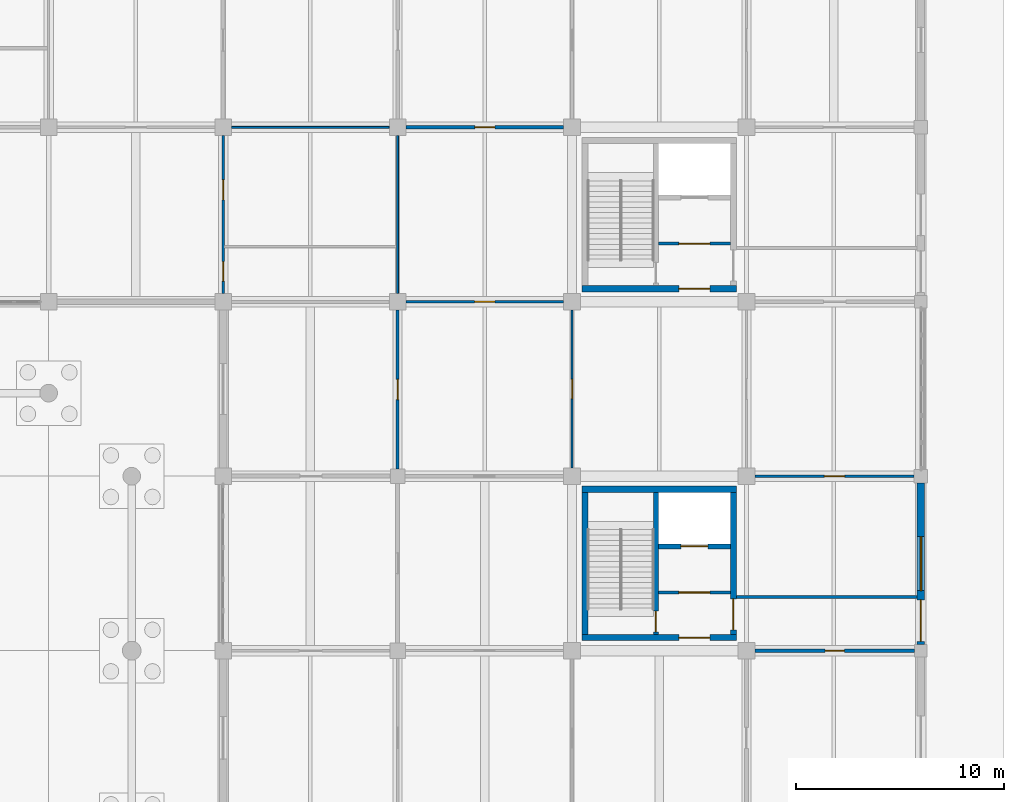
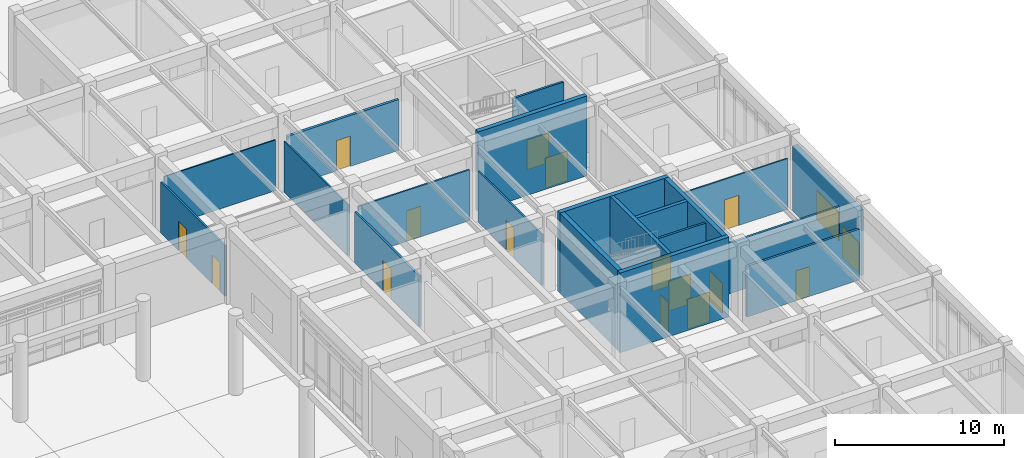
# One storey, part 79 of 91: 20 walls, 16 doors, 1 window, 17 openings.
"""IFC4 building model written with IfcOpenShell, lengths in metres."""

from ifc_helpers import new_model, si_unit, direction, frame, frame_2d, origin, place, context, subcontext, project, spatial, rectangle, extrude, material, layer, layer_set, type_object, element, fill, save


model = new_model("IFC4")

# Units and contexts
model_context = context("Model", 3, precision=1e-05, world=origin(), true_north=direction((0.0, 1.0)))
body_context = subcontext(model_context, "Body", "Model", "MODEL_VIEW")
ifc_project = project(units=[si_unit("LENGTHUNIT", "METRE"), si_unit("AREAUNIT", "SQUARE_METRE"), si_unit("VOLUMEUNIT", "CUBIC_METRE"), si_unit("PLANEANGLEUNIT", "RADIAN"), si_unit("MASSUNIT", "GRAM", prefix="KILO")], contexts=[model_context])

# Site, building, storey
site_placement = place(None, origin())
site = spatial("IfcSite", under=ifc_project, at=site_placement, CompositionType="ELEMENT")
building_placement = place(site_placement, origin())
building = spatial("IfcBuilding", under=site, at=building_placement, Name="Porcellanite Civic Hall", CompositionType="ELEMENT")
storey_placement = place(building_placement, origin())
storey = spatial("IfcBuildingStorey", under=building, at=storey_placement, Name="L00", CompositionType="ELEMENT", Elevation=0.0)

# Wall, opening, door
ifc_material_1 = material(Name="Concrete N40 (40 MPa)", Category="concrete")
ifc_layer_1 = layer(ifc_material_1, 0.239990234375)
ifc_layer_set_1 = layer_set([ifc_layer_1], Name="Concrete N40 (40 MPa)")
wall_type_1 = type_object("IfcWallType", Name="CW-SH240", PredefinedType="SHEAR", material=ifc_layer_set_1)
wall_1_placement = place(storey_placement, frame((163.639892578125, 34.3798828125, 0.0), z_axis=(0.0, 0.0, 1.0), x_axis=(0.0, 1.0, 0.0)))
wall_1 = element("IfcWall", 1, at=wall_1_placement, inside=storey, type_object=wall_type_1, Name="Core divider C7 L00", PredefinedType="SHEAR", context=body_context, shape_type="SweptSolid", body=[
    extrude(rectangle(XDim=6.840087890625, YDim=0.239990234375, at=frame_2d((3.419921875, 0.0))), origin(), (0.0, 0.0, 1.0), 5.760009765625),
])
opening_1_placement = place(wall_1_placement, frame((0.1201171875, 0.0, 0.0)))
opening_1 = element("IfcOpeningElement", 2, at=opening_1_placement, cuts=wall_1, Name="Opening FD-C7-L00-ST", PredefinedType="OPENING", context=body_context, shape_type="SweptSolid", body=[
    extrude(rectangle(XDim=1.0, YDim=2.14990234375, at=frame_2d((0.5, 1.074951171875))), frame((0.0, 0.1201171875, 0.0), z_axis=(0.0, -1.0, 0.0), x_axis=(1.0, 0.0, 0.0)), (0.0, 0.0, 1.0), 0.239990234375),
])
ifc_material_2 = material(Name="Fire-rated solid-core hardwood timber", Category="wood")
door_type_1 = type_object("IfcDoorType", Name="DR-FD100", OperationType="NOTDEFINED", PredefinedType="DOOR", material=ifc_material_2)
door_1_placement = place(opening_1_placement, origin())
door_1 = element("IfcDoor", 3, at=door_1_placement, inside=storey, type_object=door_type_1, Name="Fire stair door FD-C7-L00-ST", OperationType="SINGLE_SWING_RIGHT", OverallHeight=2.14990234375, OverallWidth=1.0, PredefinedType="DOOR", context=body_context, shape_type="SweptSolid", body=[
    extrude(rectangle(XDim=1.0, YDim=2.14990234375, at=frame_2d((0.5, 1.074951171875))), frame((0.0, 0.02490234375, 0.0), z_axis=(0.0, -1.0, 0.0), x_axis=(1.0, 0.0, 0.0)), (0.0, 0.0, 1.0), 0.050048828125),
])
fill(opening_1, door_1)

wall_2_placement = place(storey_placement, frame((163.760009765625, 38.6201171875, 0.0), z_axis=(0.0, 0.0, 1.0), x_axis=(1.0, 0.0, 0.0)))
wall_2 = element("IfcWall", 4, at=wall_2_placement, inside=storey, type_object=wall_type_1, Name="Lift shaft wall C7 L00", PredefinedType="SHEAR", context=body_context, shape_type="SweptSolid", body=[
    extrude(rectangle(XDim=3.4599609375, YDim=0.239990234375, at=frame_2d((1.72998046875, 0.0))), origin(), (0.0, 0.0, 1.0), 5.760009765625),
])
opening_2_placement = place(wall_2_placement, frame((1.080078125, 0.0, 0.0)))
opening_2 = element("IfcOpeningElement", 5, at=opening_2_placement, cuts=wall_2, Name="Opening LD-07", PredefinedType="OPENING", context=body_context, shape_type="SweptSolid", body=[
    extrude(rectangle(XDim=1.300048828125, YDim=2.25, at=frame_2d((0.64990234375, 1.125))), frame((0.0, 0.1201171875, 0.0), z_axis=(0.0, -1.0, 0.0), x_axis=(1.0, 0.0, 0.0)), (0.0, 0.0, 1.0), 0.239990234375),
])
ifc_material_3 = material(Name="Brushed stainless steel 316", Category="steel")
door_type_2 = type_object("IfcDoorType", Name="DR-LD130", OperationType="DOUBLE_DOOR_SLIDING", PredefinedType="DOOR", material=ifc_material_3)
door_2_placement = place(opening_2_placement, origin())
door_2 = element("IfcDoor", 6, at=door_2_placement, inside=storey, type_object=door_type_2, Name="Lift landing sliding door LD-07 L00", OperationType="DOUBLE_DOOR_SLIDING", OverallHeight=2.25, OverallWidth=1.300048828125, PredefinedType="DOOR", context=body_context, shape_type="SweptSolid", body=[
    extrude(rectangle(XDim=1.300048828125, YDim=2.25, at=frame_2d((0.64990234375, 1.125))), frame((0.0, 0.02490234375, 0.0), z_axis=(0.0, -1.0, 0.0), x_axis=(1.0, 0.0, 0.0)), (0.0, 0.0, 1.0), 0.050048828125),
])
fill(opening_2, door_2)

ifc_material_4 = material(Name="Concrete N40 (40 MPa)", Category="concrete")
ifc_layer_2 = layer(ifc_material_4, 0.300048828125)
ifc_layer_set_2 = layer_set([ifc_layer_2], Name="Concrete N40 (40 MPa)")
wall_type_2 = type_object("IfcWallType", Name="CW-SH300", PredefinedType="SHEAR", material=ifc_layer_set_2)
wall_3_placement = place(storey_placement, frame((167.52001953125, 34.22998046875, 0.0), z_axis=(0.0, 0.0, 1.0), x_axis=(-1.0, 0.0, 0.0)))
wall_3 = element("IfcWall", 7, at=wall_3_placement, inside=storey, type_object=wall_type_2, Name="Core wall C7 L00 S", PredefinedType="SHEAR", context=body_context, shape_type="SweptSolid", body=[
    extrude(rectangle(XDim=7.43994140625, YDim=0.300048828125, at=frame_2d((3.719970703125, 0.0))), origin(), (0.0, 0.0, 1.0), 5.760009765625),
])
opening_3_placement = place(wall_3_placement, frame((1.280029296875, 0.0, 0.0)))
opening_3 = element("IfcOpeningElement", 8, at=opening_3_placement, cuts=wall_3, Name="Opening FD-C7-L00-LB", PredefinedType="OPENING", context=body_context, shape_type="SweptSolid", body=[
    extrude(rectangle(XDim=1.5, YDim=2.14990234375, at=frame_2d((0.75, 1.074951171875))), frame((0.0, 0.14990234375, 0.0), z_axis=(0.0, -1.0, 0.0), x_axis=(1.0, 0.0, 0.0)), (0.0, 0.0, 1.0), 0.300048828125),
])
ifc_material_5 = material(Name="Fire-rated steel and Georgian wired glass", Category="steel")
door_type_3 = type_object("IfcDoorType", Name="DR-FD150", OperationType="DOUBLE_DOOR_SINGLE_SWING", PredefinedType="DOOR", material=ifc_material_5)
door_3_placement = place(opening_3_placement, origin())
door_3 = element("IfcDoor", 9, at=door_3_placement, inside=storey, type_object=door_type_3, Name="Fire lobby double door FD-C7-L00-LB", OperationType="DOUBLE_DOOR_SINGLE_SWING", OverallHeight=2.14990234375, OverallWidth=1.5, PredefinedType="DOOR", context=body_context, shape_type="SweptSolid", body=[
    extrude(rectangle(XDim=1.5, YDim=2.14990234375, at=frame_2d((0.75, 1.074951171875))), frame((0.0, 0.02490234375, 0.0), z_axis=(0.0, -1.0, 0.0), x_axis=(1.0, 0.0, 0.0)), (0.0, 0.0, 1.0), 0.050048828125),
])
fill(opening_3, door_3)

# Walls
wall_4_placement = place(storey_placement, frame((160.22998046875, 34.3798828125, 0.0), z_axis=(0.0, 0.0, 1.0), x_axis=(0.0, 1.0, 0.0)))
element("IfcWall", 10, at=wall_4_placement, inside=storey, type_object=wall_type_2, Name="Core wall C7 L00 W", PredefinedType="SHEAR", context=body_context, shape_type="SweptSolid", body=[
    extrude(rectangle(XDim=6.840087890625, YDim=0.300048828125, at=frame_2d((3.419921875, 0.0))), origin(), (0.0, 0.0, 1.0), 5.760009765625),
])
wall_5_placement = place(storey_placement, frame((160.080078125, 41.3701171875, 0.0), z_axis=(0.0, 0.0, 1.0), x_axis=(1.0, 0.0, 0.0)))
element("IfcWall", 11, at=wall_5_placement, inside=storey, type_object=wall_type_2, Name="Core wall C7 L00 N", PredefinedType="SHEAR", context=body_context, shape_type="SweptSolid", body=[
    extrude(rectangle(XDim=7.43994140625, YDim=0.300048828125, at=frame_2d((3.719970703125, 0.0))), origin(), (0.0, 0.0, 1.0), 5.760009765625),
])

# Wall, opening, door
wall_6_placement = place(storey_placement, frame((167.3701171875, 41.219970703125, 0.0), z_axis=(0.0, 0.0, 1.0), x_axis=(0.0, -1.0, 0.0)))
wall_6 = element("IfcWall", 12, at=wall_6_placement, inside=storey, type_object=wall_type_2, Name="Core wall C7 L00 E", PredefinedType="SHEAR", context=body_context, shape_type="SweptSolid", body=[
    extrude(rectangle(XDim=6.840087890625, YDim=0.300048828125, at=frame_2d((3.419921875, 0.0))), origin(), (0.0, 0.0, 1.0), 5.760009765625),
])
opening_4_placement = place(wall_6_placement, frame((5.1201171875, 0.0, 0.0)))
opening_4 = element("IfcOpeningElement", 13, at=opening_4_placement, cuts=wall_6, Name="Opening FD-C7-L00-EX", PredefinedType="OPENING", context=body_context, shape_type="SweptSolid", body=[
    extrude(rectangle(XDim=1.5, YDim=2.14990234375, at=frame_2d((0.75, 1.074951171875))), frame((0.0, 0.14990234375, 0.0), z_axis=(0.0, -1.0, 0.0), x_axis=(1.0, 0.0, 0.0)), (0.0, 0.0, 1.0), 0.300048828125),
])
door_4_placement = place(opening_4_placement, origin())
door_4 = element("IfcDoor", 14, at=door_4_placement, inside=storey, type_object=door_type_3, Name="Fire vestibule exit door FD-C7-L00-EX", OperationType="DOUBLE_DOOR_SINGLE_SWING", OverallHeight=2.14990234375, OverallWidth=1.5, PredefinedType="DOOR", context=body_context, shape_type="SweptSolid", body=[
    extrude(rectangle(XDim=1.5, YDim=2.14990234375, at=frame_2d((0.75, 1.074951171875))), frame((0.0, 0.02490234375, 0.0), z_axis=(0.0, -1.0, 0.0), x_axis=(1.0, 0.0, 0.0)), (0.0, 0.0, 1.0), 0.050048828125),
])
fill(opening_4, door_4)

wall_7_placement = place(storey_placement, frame((167.52001953125, 51.030029296875, 0.0), z_axis=(0.0, 0.0, 1.0), x_axis=(-1.0, 0.0, 0.0)))
wall_7 = element("IfcWall", 15, at=wall_7_placement, inside=storey, type_object=wall_type_2, Name="Core wall C8 L00 S", PredefinedType="SHEAR", context=body_context, shape_type="SweptSolid", body=[
    extrude(rectangle(XDim=7.43994140625, YDim=0.300048828125, at=frame_2d((3.719970703125, 0.0))), origin(), (0.0, 0.0, 1.0), 5.760009765625),
])
opening_5_placement = place(wall_7_placement, frame((1.280029296875, 0.0, 0.0)))
opening_5 = element("IfcOpeningElement", 16, at=opening_5_placement, cuts=wall_7, Name="Opening FD-C8-L00-LB", PredefinedType="OPENING", context=body_context, shape_type="SweptSolid", body=[
    extrude(rectangle(XDim=1.5, YDim=2.14990234375, at=frame_2d((0.75, 1.074951171875))), frame((0.0, 0.14990234375, 0.0), z_axis=(0.0, -1.0, 0.0), x_axis=(1.0, 0.0, 0.0)), (0.0, 0.0, 1.0), 0.300048828125),
])
door_5_placement = place(opening_5_placement, origin())
door_5 = element("IfcDoor", 17, at=door_5_placement, inside=storey, type_object=door_type_3, Name="Fire lobby double door FD-C8-L00-LB", OperationType="DOUBLE_DOOR_SINGLE_SWING", OverallHeight=2.14990234375, OverallWidth=1.5, PredefinedType="DOOR", context=body_context, shape_type="SweptSolid", body=[
    extrude(rectangle(XDim=1.5, YDim=2.14990234375, at=frame_2d((0.75, 1.074951171875))), frame((0.0, 0.02490234375, 0.0), z_axis=(0.0, -1.0, 0.0), x_axis=(1.0, 0.0, 0.0)), (0.0, 0.0, 1.0), 0.050048828125),
])
fill(opening_5, door_5)

# Wall, openings, door, window
ifc_material_6 = material(Name="Precast concrete N40 (40 MPa)", Category="concrete")
ifc_layer_3 = layer(ifc_material_6, 0.360107421875)
ifc_layer_set_3 = layer_set([ifc_layer_3], Name="Precast concrete N40 (40 MPa)")
wall_type_3 = type_object("IfcWallType", Name="EW-LIB360", PredefinedType="SOLIDWALL", material=ifc_layer_set_3)
wall_8_placement = place(storey_placement, frame((176.39990234375, 41.674072265625, 0.0), z_axis=(0.0, 0.0, 1.0), x_axis=(0.0, -1.0, 0.0)))
wall_8 = element("IfcWall", 18, at=wall_8_placement, inside=storey, type_object=wall_type_3, Name="Exterior wall L00 E 21-5", PredefinedType="SOLIDWALL", context=body_context, shape_type="SweptSolid", body=[
    extrude(rectangle(XDim=7.773193359375, YDim=0.360107421875, at=frame_2d((3.88671875, 0.0))), origin(), (0.0, 0.0, 1.0), 4.699951171875),
])
opening_6_placement = place(wall_8_placement, frame((2.5869140625, 0.0, 0.89990234375)))
opening_6 = element("IfcOpeningElement", 19, at=opening_6_placement, cuts=wall_8, Name="Opening W07", PredefinedType="OPENING", context=body_context, shape_type="SweptSolid", body=[
    extrude(rectangle(XDim=2.60009765625, YDim=2.10009765625, at=frame_2d((1.300048828125, 1.050048828125))), frame((0.0, 0.18017578125, 0.0), z_axis=(0.0, -1.0, 0.0), x_axis=(1.0, 0.0, 0.0)), (0.0, 0.0, 1.0), 0.360107421875),
])
opening_7_placement = place(wall_8_placement, frame((5.6240234375, 0.0, 0.0)))
opening_7 = element("IfcOpeningElement", 20, at=opening_7_placement, cuts=wall_8, Name="Opening ED-23", PredefinedType="OPENING", context=body_context, shape_type="SweptSolid", body=[
    extrude(rectangle(XDim=2.0, YDim=2.25, at=frame_2d((1.0, 1.125))), frame((0.0, 0.18017578125, 0.0), z_axis=(0.0, -1.0, 0.0), x_axis=(1.0, 0.0, 0.0)), (0.0, 0.0, 1.0), 0.360107421875),
])
ifc_material_7 = material(Name="Anodised aluminium and laminated safety glass", Category="aluminium")
door_type_4 = type_object("IfcDoorType", Name="DR-EXIT180", OperationType="DOUBLE_DOOR_SINGLE_SWING", PredefinedType="DOOR", material=ifc_material_7)
door_6_placement = place(opening_7_placement, origin())
door_6 = element("IfcDoor", 21, at=door_6_placement, inside=storey, type_object=door_type_4, Name="Pedestrian final exit door ED-23", OperationType="DOUBLE_DOOR_SINGLE_SWING", OverallHeight=2.25, OverallWidth=2.0, PredefinedType="DOOR", context=body_context, shape_type="SweptSolid", body=[
    extrude(rectangle(XDim=2.0, YDim=2.25, at=frame_2d((1.0, 1.125))), frame((0.0, 0.02490234375, 0.0), z_axis=(0.0, -1.0, 0.0), x_axis=(1.0, 0.0, 0.0)), (0.0, 0.0, 1.0), 0.050048828125),
])
fill(opening_7, door_6)
ifc_material_8 = material(Name="Cyclone laminated low-E glazing in anodised aluminium frame", Category="aluminium")
window_type = type_object("IfcWindowType", Name="WN-07", PartitioningType="TRIPLE_PANEL_VERTICAL", PredefinedType="WINDOW", material=ifc_material_8)
window_placement = place(opening_6_placement, origin())
window = element("IfcWindow", 22, at=window_placement, inside=storey, type_object=window_type, Name="Window W07 L00 E 21-5", OverallHeight=2.10009765625, OverallWidth=2.60009765625, PartitioningType="SINGLE_PANEL", PredefinedType="WINDOW", context=body_context, shape_type="SweptSolid", body=[
    extrude(rectangle(XDim=2.60009765625, YDim=2.10009765625, at=frame_2d((1.300048828125, 1.050048828125))), frame((0.0, 0.030029296875, 0.0), z_axis=(0.0, -1.0, 0.0), x_axis=(1.0, 0.0, 0.0)), (0.0, 0.0, 1.0), 0.06005859375),
])
fill(opening_6, window)

# Wall, opening, door
ifc_material_9 = material(Name="Fire-rated plasterboard on light-gauge steel studs", Category="steel")
ifc_layer_4 = layer(ifc_material_9, 0.14794921875)
ifc_layer_set_4 = layer_set([ifc_layer_4], Name="Fire-rated plasterboard on light-gauge steel studs")
wall_type_4 = type_object("IfcWallType", Name="IW-FR148", PredefinedType="PARTITIONING", material=ifc_layer_set_4)
wall_9_placement = place(storey_placement, frame((167.219970703125, 36.39990234375, 0.0), z_axis=(0.0, 0.0, 1.0), x_axis=(-1.0, 0.0, 0.0)))
wall_9 = element("IfcWall", 23, at=wall_9_placement, inside=storey, type_object=wall_type_4, Name="Exit vestibule wall ST-07 L00", PredefinedType="PARTITIONING", context=body_context, shape_type="SweptSolid", body=[
    extrude(rectangle(XDim=3.4599609375, YDim=0.14794921875, at=frame_2d((1.72998046875, 0.0))), origin(), (0.0, 0.0, 1.0), 5.510009765625),
])
opening_8_placement = place(wall_9_placement, frame((0.97998046875, 0.0, 0.0)))
opening_8 = element("IfcOpeningElement", 24, at=opening_8_placement, cuts=wall_9, Name="Opening FD-C7-L00-XV", PredefinedType="OPENING", context=body_context, shape_type="SweptSolid", body=[
    extrude(rectangle(XDim=1.5, YDim=2.14990234375, at=frame_2d((0.75, 1.074951171875))), frame((0.0, 0.073974609375, 0.0), z_axis=(0.0, -1.0, 0.0), x_axis=(1.0, 0.0, 0.0)), (0.0, 0.0, 1.0), 0.14794921875),
])
door_7_placement = place(opening_8_placement, origin())
door_7 = element("IfcDoor", 25, at=door_7_placement, inside=storey, type_object=door_type_3, Name="Fire vestibule door FD-C7-L00-XV", OperationType="DOUBLE_DOOR_SINGLE_SWING", OverallHeight=2.14990234375, OverallWidth=1.5, PredefinedType="DOOR", context=body_context, shape_type="SweptSolid", body=[
    extrude(rectangle(XDim=1.5, YDim=2.14990234375, at=frame_2d((0.75, 1.074951171875))), frame((0.0, 0.02490234375, 0.0), z_axis=(0.0, -1.0, 0.0), x_axis=(1.0, 0.0, 0.0)), (0.0, 0.0, 1.0), 0.050048828125),
])
fill(opening_8, door_7)

wall_10_placement = place(storey_placement, frame((167.219970703125, 53.199951171875, 0.0), z_axis=(0.0, 0.0, 1.0), x_axis=(-1.0, 0.0, 0.0)))
wall_10 = element("IfcWall", 26, at=wall_10_placement, inside=storey, type_object=wall_type_4, Name="Exit vestibule wall ST-08 L00", PredefinedType="PARTITIONING", context=body_context, shape_type="SweptSolid", body=[
    extrude(rectangle(XDim=3.4599609375, YDim=0.14794921875, at=frame_2d((1.72998046875, 0.0))), origin(), (0.0, 0.0, 1.0), 5.510009765625),
])
opening_9_placement = place(wall_10_placement, frame((0.97998046875, 0.0, 0.0)))
opening_9 = element("IfcOpeningElement", 27, at=opening_9_placement, cuts=wall_10, Name="Opening FD-C8-L00-XV", PredefinedType="OPENING", context=body_context, shape_type="SweptSolid", body=[
    extrude(rectangle(XDim=1.5, YDim=2.14990234375, at=frame_2d((0.75, 1.074951171875))), frame((0.0, 0.073974609375, 0.0), z_axis=(0.0, -1.0, 0.0), x_axis=(1.0, 0.0, 0.0)), (0.0, 0.0, 1.0), 0.14794921875),
])
door_8_placement = place(opening_9_placement, origin())
door_8 = element("IfcDoor", 28, at=door_8_placement, inside=storey, type_object=door_type_3, Name="Fire vestibule door FD-C8-L00-XV", OperationType="DOUBLE_DOOR_SINGLE_SWING", OverallHeight=2.14990234375, OverallWidth=1.5, PredefinedType="DOOR", context=body_context, shape_type="SweptSolid", body=[
    extrude(rectangle(XDim=1.5, YDim=2.14990234375, at=frame_2d((0.75, 1.074951171875))), frame((0.0, 0.02490234375, 0.0), z_axis=(0.0, -1.0, 0.0), x_axis=(1.0, 0.0, 0.0)), (0.0, 0.0, 1.0), 0.050048828125),
])
fill(opening_9, door_8)

# Walls
wall_11_placement = place(storey_placement, frame((167.52001953125, 36.194091796875, 0.0), z_axis=(0.0, 0.0, 1.0), x_axis=(1.0, 0.0, 0.0)))
element("IfcWall", 29, at=wall_11_placement, inside=storey, type_object=wall_type_4, Name="Exit passage wall ST-07 L00", PredefinedType="PARTITIONING", context=body_context, shape_type="SweptSolid", body=[
    extrude(rectangle(XDim=8.699951171875, YDim=0.14794921875, at=frame_2d((4.35009765625, 0.0))), origin(), (0.0, 0.0, 1.0), 3.659912109375),
])
ifc_material_10 = material(Name="Insulated acoustic plasterboard on light-gauge steel studs", Category="steel")
ifc_layer_5 = layer(ifc_material_10, 0.094970703125)
ifc_layer_set_5 = layer_set([ifc_layer_5], Name="Insulated acoustic plasterboard on light-gauge steel studs")
wall_type_5 = type_object("IfcWallType", Name="IW-PT095", PredefinedType="PARTITIONING", material=ifc_layer_set_5)
wall_12_placement = place(storey_placement, frame((143.201904296875, 58.800048828125, 0.0), z_axis=(0.0, 0.0, 1.0), x_axis=(1.0, 0.0, 0.0)))
element("IfcWall", 30, at=wall_12_placement, inside=storey, type_object=wall_type_5, Name="Partition L00 H 18-7", PredefinedType="PARTITIONING", context=body_context, shape_type="SweptSolid", body=[
    extrude(rectangle(XDim=7.59619140625, YDim=0.094970703125, at=frame_2d((3.798095703125, 0.0))), origin(), (0.0, 0.0, 1.0), 3.659912109375),
])
wall_13_placement = place(storey_placement, frame((151.199951171875, 50.802001953125, 0.0), z_axis=(0.0, 0.0, 1.0), x_axis=(0.0, 1.0, 0.0)))
element("IfcWall", 31, at=wall_13_placement, inside=storey, type_object=wall_type_5, Name="Partition L00 V 18-7", PredefinedType="PARTITIONING", context=body_context, shape_type="SweptSolid", body=[
    extrude(rectangle(XDim=7.595947265625, YDim=0.094970703125, at=frame_2d((3.7978515625, 0.0))), origin(), (0.0, 0.0, 1.0), 3.659912109375),
])

# Wall, opening, door
ifc_material_11 = material(Name="Insulated acoustic plasterboard on light-gauge steel studs", Category="steel")
ifc_layer_6 = layer(ifc_material_11, 0.10498046875)
ifc_layer_set_6 = layer_set([ifc_layer_6], Name="Insulated acoustic plasterboard on light-gauge steel studs")
wall_type_6 = type_object("IfcWallType", Name="IW-PT105", PredefinedType="PARTITIONING", material=ifc_layer_set_6)
wall_14_placement = place(storey_placement, frame((168.402099609375, 42.0, 0.0), z_axis=(0.0, 0.0, 1.0), x_axis=(1.0, 0.0, 0.0)))
wall_14 = element("IfcWall", 32, at=wall_14_placement, inside=storey, type_object=wall_type_6, Name="Partition L00 H 21-5", PredefinedType="PARTITIONING", context=body_context, shape_type="SweptSolid", body=[
    extrude(rectangle(XDim=7.6708984375, YDim=0.10498046875, at=frame_2d((3.83544921875, 0.0))), origin(), (0.0, 0.0, 1.0), 3.659912109375),
])
opening_10_placement = place(wall_14_placement, frame((3.345947265625, 0.0, 0.0)))
opening_10 = element("IfcOpeningElement", 33, at=opening_10_placement, cuts=wall_14, Name="Opening D-L00-148", PredefinedType="OPENING", context=body_context, shape_type="SweptSolid", body=[
    extrude(rectangle(XDim=0.97998046875, YDim=2.179931640625, at=frame_2d((0.489990234375, 1.08984375))), frame((0.0, 0.052490234375, 0.0), z_axis=(0.0, -1.0, 0.0), x_axis=(1.0, 0.0, 0.0)), (0.0, 0.0, 1.0), 0.10498046875),
])
ifc_material_12 = material(Name="Solid-core spotted-gum timber", Category="wood")
door_type_5 = type_object("IfcDoorType", Name="DR-RM098", OperationType="NOTDEFINED", PredefinedType="DOOR", material=ifc_material_12)
door_9_placement = place(opening_10_placement, origin())
door_9 = element("IfcDoor", 34, at=door_9_placement, inside=storey, type_object=door_type_5, Name="Interior door D-L00-148", OperationType="SINGLE_SWING_RIGHT", OverallHeight=2.179931640625, OverallWidth=0.97998046875, PredefinedType="DOOR", context=body_context, shape_type="SweptSolid", body=[
    extrude(rectangle(XDim=0.97998046875, YDim=2.179931640625, at=frame_2d((0.489990234375, 1.08984375))), frame((0.0, 0.02490234375, 0.0), z_axis=(0.0, -1.0, 0.0), x_axis=(1.0, 0.0, 0.0)), (0.0, 0.0, 1.0), 0.050048828125),
])
fill(opening_10, door_9)

ifc_material_13 = material(Name="Insulated acoustic plasterboard on light-gauge steel studs", Category="steel")
ifc_layer_7 = layer(ifc_material_13, 0.114990234375)
ifc_layer_set_7 = layer_set([ifc_layer_7], Name="Insulated acoustic plasterboard on light-gauge steel studs")
wall_type_7 = type_object("IfcWallType", Name="IW-PT115", PredefinedType="PARTITIONING", material=ifc_layer_set_7)
wall_15_placement = place(storey_placement, frame((151.60205078125, 50.39990234375, 0.0), z_axis=(0.0, 0.0, 1.0), x_axis=(1.0, 0.0, 0.0)))
wall_15 = element("IfcWall", 35, at=wall_15_placement, inside=storey, type_object=wall_type_7, Name="Partition L00 H 19-6", PredefinedType="PARTITIONING", context=body_context, shape_type="SweptSolid", body=[
    extrude(rectangle(XDim=7.595947265625, YDim=0.114990234375, at=frame_2d((3.7978515625, 0.0))), origin(), (0.0, 0.0, 1.0), 3.659912109375),
])
opening_11_placement = place(wall_15_placement, frame((3.30810546875, 0.0, 0.0)))
opening_11 = element("IfcOpeningElement", 36, at=opening_11_placement, cuts=wall_15, Name="Opening D-L00-109", PredefinedType="OPENING", context=body_context, shape_type="SweptSolid", body=[
    extrude(rectangle(XDim=0.97998046875, YDim=2.179931640625, at=frame_2d((0.489990234375, 1.08984375))), frame((0.0, 0.0576171875, 0.0), z_axis=(0.0, -1.0, 0.0), x_axis=(1.0, 0.0, 0.0)), (0.0, 0.0, 1.0), 0.114990234375),
])
door_10_placement = place(opening_11_placement, origin())
door_10 = element("IfcDoor", 37, at=door_10_placement, inside=storey, type_object=door_type_5, Name="Interior door D-L00-109", OperationType="SINGLE_SWING_RIGHT", OverallHeight=2.179931640625, OverallWidth=0.97998046875, PredefinedType="DOOR", context=body_context, shape_type="SweptSolid", body=[
    extrude(rectangle(XDim=0.97998046875, YDim=2.179931640625, at=frame_2d((0.489990234375, 1.08984375))), frame((0.0, 0.02490234375, 0.0), z_axis=(0.0, -1.0, 0.0), x_axis=(1.0, 0.0, 0.0)), (0.0, 0.0, 1.0), 0.050048828125),
])
fill(opening_11, door_10)

wall_16_placement = place(storey_placement, frame((159.60009765625, 42.402099609375, 0.0), z_axis=(0.0, 0.0, 1.0), x_axis=(0.0, 1.0, 0.0)))
wall_16 = element("IfcWall", 38, at=wall_16_placement, inside=storey, type_object=wall_type_7, Name="Partition L00 V 19-6", PredefinedType="PARTITIONING", context=body_context, shape_type="SweptSolid", body=[
    extrude(rectangle(XDim=7.595947265625, YDim=0.114990234375, at=frame_2d((3.7978515625, 0.0))), origin(), (0.0, 0.0, 1.0), 3.659912109375),
])
opening_12_placement = place(wall_16_placement, frame((3.337890625, 0.0, 0.0)))
opening_12 = element("IfcOpeningElement", 39, at=opening_12_placement, cuts=wall_16, Name="Opening D-L00-086", PredefinedType="OPENING", context=body_context, shape_type="SweptSolid", body=[
    extrude(rectangle(XDim=0.919921875, YDim=2.14990234375, at=frame_2d((0.4599609375, 1.074951171875))), frame((0.0, 0.0576171875, 0.0), z_axis=(0.0, -1.0, 0.0), x_axis=(1.0, 0.0, 0.0)), (0.0, 0.0, 1.0), 0.114990234375),
])
ifc_material_14 = material(Name="Solid-core spotted-gum timber", Category="wood")
door_type_6 = type_object("IfcDoorType", Name="DR-RM092", OperationType="NOTDEFINED", PredefinedType="DOOR", material=ifc_material_14)
door_11_placement = place(opening_12_placement, origin())
door_11 = element("IfcDoor", 40, at=door_11_placement, inside=storey, type_object=door_type_6, Name="Interior door D-L00-086", OperationType="SINGLE_SWING_LEFT", OverallHeight=2.14990234375, OverallWidth=0.919921875, PredefinedType="DOOR", context=body_context, shape_type="SweptSolid", body=[
    extrude(rectangle(XDim=0.919921875, YDim=2.14990234375, at=frame_2d((0.4599609375, 1.074951171875))), frame((0.0, 0.02490234375, 0.0), z_axis=(0.0, -1.0, 0.0), x_axis=(1.0, 0.0, 0.0)), (0.0, 0.0, 1.0), 0.050048828125),
])
fill(opening_12, door_11)

# Wall, openings, doors
ifc_material_15 = material(Name="Insulated acoustic plasterboard on light-gauge steel studs", Category="steel")
ifc_layer_8 = layer(ifc_material_15, 0.125)
ifc_layer_set_8 = layer_set([ifc_layer_8], Name="Insulated acoustic plasterboard on light-gauge steel studs")
wall_type_8 = type_object("IfcWallType", Name="IW-PT125", PredefinedType="PARTITIONING", material=ifc_layer_set_8)
wall_17_placement = place(storey_placement, frame((142.800048828125, 50.802001953125, 0.0), z_axis=(0.0, 0.0, 1.0), x_axis=(0.0, 1.0, 0.0)))
wall_17 = element("IfcWall", 41, at=wall_17_placement, inside=storey, type_object=wall_type_8, Name="Partition L00 V 17-7", PredefinedType="PARTITIONING", context=body_context, shape_type="SweptSolid", body=[
    extrude(rectangle(XDim=7.595947265625, YDim=0.125, at=frame_2d((3.7978515625, 0.0))), origin(), (0.0, 0.0, 1.0), 3.659912109375),
])
opening_13_placement = place(wall_17_placement, frame((0.593017578125, 0.0, 0.0)))
opening_13 = element("IfcOpeningElement", 42, at=opening_13_placement, cuts=wall_17, Name="Opening D-L00-039", PredefinedType="OPENING", context=body_context, shape_type="SweptSolid", body=[
    extrude(rectangle(XDim=0.93994140625, YDim=2.080078125, at=frame_2d((0.469970703125, 1.0400390625))), frame((0.0, 0.0625, 0.0), z_axis=(0.0, -1.0, 0.0), x_axis=(1.0, 0.0, 0.0)), (0.0, 0.0, 1.0), 0.125),
])
opening_14_placement = place(wall_17_placement, frame((4.5029296875, 0.0, 0.0)))
opening_14 = element("IfcOpeningElement", 43, at=opening_14_placement, cuts=wall_17, Name="Opening D-L00-040", PredefinedType="OPENING", context=body_context, shape_type="SweptSolid", body=[
    extrude(rectangle(XDim=0.9599609375, YDim=2.10009765625, at=frame_2d((0.47998046875, 1.050048828125))), frame((0.0, 0.0625, 0.0), z_axis=(0.0, -1.0, 0.0), x_axis=(1.0, 0.0, 0.0)), (0.0, 0.0, 1.0), 0.125),
])
ifc_material_16 = material(Name="Moisture-resistant laminate solid-core timber", Category="wood")
door_type_7 = type_object("IfcDoorType", Name="DR-WC094", OperationType="NOTDEFINED", PredefinedType="DOOR", material=ifc_material_16)
door_12_placement = place(opening_13_placement, origin())
door_12 = element("IfcDoor", 44, at=door_12_placement, inside=storey, type_object=door_type_7, Name="Interior door D-L00-039", OperationType="SINGLE_SWING_LEFT", OverallHeight=2.080078125, OverallWidth=0.93994140625, PredefinedType="DOOR", context=body_context, shape_type="SweptSolid", body=[
    extrude(rectangle(XDim=0.93994140625, YDim=2.080078125, at=frame_2d((0.469970703125, 1.0400390625))), frame((0.0, 0.02490234375, 0.0), z_axis=(0.0, -1.0, 0.0), x_axis=(1.0, 0.0, 0.0)), (0.0, 0.0, 1.0), 0.050048828125),
])
fill(opening_13, door_12)
ifc_material_17 = material(Name="Moisture-resistant laminate solid-core timber", Category="wood")
door_type_8 = type_object("IfcDoorType", Name="DR-WC096", OperationType="NOTDEFINED", PredefinedType="DOOR", material=ifc_material_17)
door_13_placement = place(opening_14_placement, origin())
door_13 = element("IfcDoor", 45, at=door_13_placement, inside=storey, type_object=door_type_8, Name="Interior door D-L00-040", OperationType="SINGLE_SWING_RIGHT", OverallHeight=2.10009765625, OverallWidth=0.9599609375, PredefinedType="DOOR", context=body_context, shape_type="SweptSolid", body=[
    extrude(rectangle(XDim=0.9599609375, YDim=2.10009765625, at=frame_2d((0.47998046875, 1.050048828125))), frame((0.0, 0.02490234375, 0.0), z_axis=(0.0, -1.0, 0.0), x_axis=(1.0, 0.0, 0.0)), (0.0, 0.0, 1.0), 0.050048828125),
])
fill(opening_14, door_13)

# Wall, opening, door
ifc_material_18 = material(Name="Insulated acoustic plasterboard on light-gauge steel studs", Category="steel")
ifc_layer_9 = layer(ifc_material_18, 0.14501953125)
ifc_layer_set_9 = layer_set([ifc_layer_9], Name="Insulated acoustic plasterboard on light-gauge steel studs")
wall_type_9 = type_object("IfcWallType", Name="IW-PT145", PredefinedType="PARTITIONING", material=ifc_layer_set_9)
wall_18_placement = place(storey_placement, frame((151.199951171875, 42.35205078125, 0.0), z_axis=(0.0, 0.0, 1.0), x_axis=(0.0, 1.0, 0.0)))
wall_18 = element("IfcWall", 46, at=wall_18_placement, inside=storey, type_object=wall_type_9, Name="Partition L00 V 18-6", PredefinedType="PARTITIONING", context=body_context, shape_type="SweptSolid", body=[
    extrude(rectangle(XDim=7.64599609375, YDim=0.14501953125, at=frame_2d((3.822998046875, 0.0))), origin(), (0.0, 0.0, 1.0), 3.659912109375),
])
opening_15_placement = place(wall_18_placement, frame((3.3330078125, 0.0, 0.0)))
opening_15 = element("IfcOpeningElement", 47, at=opening_15_placement, cuts=wall_18, Name="Opening D-L00-161", PredefinedType="OPENING", context=body_context, shape_type="SweptSolid", body=[
    extrude(rectangle(XDim=0.97998046875, YDim=2.179931640625, at=frame_2d((0.489990234375, 1.08984375))), frame((0.0, 0.072509765625, 0.0), z_axis=(0.0, -1.0, 0.0), x_axis=(1.0, 0.0, 0.0)), (0.0, 0.0, 1.0), 0.14501953125),
])
door_14_placement = place(opening_15_placement, origin())
door_14 = element("IfcDoor", 48, at=door_14_placement, inside=storey, type_object=door_type_5, Name="Interior door D-L00-161", OperationType="SINGLE_SWING_LEFT", OverallHeight=2.179931640625, OverallWidth=0.97998046875, PredefinedType="DOOR", context=body_context, shape_type="SweptSolid", body=[
    extrude(rectangle(XDim=0.97998046875, YDim=2.179931640625, at=frame_2d((0.489990234375, 1.08984375))), frame((0.0, 0.02490234375, 0.0), z_axis=(0.0, -1.0, 0.0), x_axis=(1.0, 0.0, 0.0)), (0.0, 0.0, 1.0), 0.050048828125),
])
fill(opening_15, door_14)

ifc_material_19 = material(Name="Insulated acoustic plasterboard on light-gauge steel studs", Category="steel")
ifc_layer_10 = layer(ifc_material_19, 0.155029296875)
ifc_layer_set_10 = layer_set([ifc_layer_10], Name="Insulated acoustic plasterboard on light-gauge steel studs")
wall_type_10 = type_object("IfcWallType", Name="IW-PT155", PredefinedType="PARTITIONING", material=ifc_layer_set_10)
wall_19_placement = place(storey_placement, frame((168.402099609375, 33.60009765625, 0.0), z_axis=(0.0, 0.0, 1.0), x_axis=(1.0, 0.0, 0.0)))
wall_19 = element("IfcWall", 49, at=wall_19_placement, inside=storey, type_object=wall_type_10, Name="Partition L00 H 21-4", PredefinedType="PARTITIONING", context=body_context, shape_type="SweptSolid", body=[
    extrude(rectangle(XDim=7.69580078125, YDim=0.155029296875, at=frame_2d((3.847900390625, 0.0))), origin(), (0.0, 0.0, 1.0), 3.659912109375),
])
opening_16_placement = place(wall_19_placement, frame((3.383056640625, 0.0, 0.0)))
opening_16 = element("IfcOpeningElement", 50, at=opening_16_placement, cuts=wall_19, Name="Opening D-L00-116", PredefinedType="OPENING", context=body_context, shape_type="SweptSolid", body=[
    extrude(rectangle(XDim=0.929931640625, YDim=2.1201171875, at=frame_2d((0.46484375, 1.06005859375))), frame((0.0, 0.07763671875, 0.0), z_axis=(0.0, -1.0, 0.0), x_axis=(1.0, 0.0, 0.0)), (0.0, 0.0, 1.0), 0.155029296875),
])
ifc_material_20 = material(Name="Solid-core spotted-gum timber", Category="wood")
door_type_9 = type_object("IfcDoorType", Name="DR-RM093", OperationType="NOTDEFINED", PredefinedType="DOOR", material=ifc_material_20)
door_15_placement = place(opening_16_placement, origin())
door_15 = element("IfcDoor", 51, at=door_15_placement, inside=storey, type_object=door_type_9, Name="Interior door D-L00-116", OperationType="SINGLE_SWING_LEFT", OverallHeight=2.1201171875, OverallWidth=0.929931640625, PredefinedType="DOOR", context=body_context, shape_type="SweptSolid", body=[
    extrude(rectangle(XDim=0.929931640625, YDim=2.1201171875, at=frame_2d((0.46484375, 1.06005859375))), frame((0.0, 0.02490234375, 0.0), z_axis=(0.0, -1.0, 0.0), x_axis=(1.0, 0.0, 0.0)), (0.0, 0.0, 1.0), 0.050048828125),
])
fill(opening_16, door_15)

ifc_material_21 = material(Name="Insulated acoustic plasterboard on light-gauge steel studs", Category="steel")
ifc_layer_11 = layer(ifc_material_21, 0.18505859375)
ifc_layer_set_11 = layer_set([ifc_layer_11], Name="Insulated acoustic plasterboard on light-gauge steel studs")
wall_type_11 = type_object("IfcWallType", Name="IW-PT185", PredefinedType="PARTITIONING", material=ifc_layer_set_11)
wall_20_placement = place(storey_placement, frame((151.60205078125, 58.800048828125, 0.0), z_axis=(0.0, 0.0, 1.0), x_axis=(1.0, 0.0, 0.0)))
wall_20 = element("IfcWall", 52, at=wall_20_placement, inside=storey, type_object=wall_type_11, Name="Partition L00 H 19-7", PredefinedType="PARTITIONING", context=body_context, shape_type="SweptSolid", body=[
    extrude(rectangle(XDim=7.595947265625, YDim=0.18505859375, at=frame_2d((3.7978515625, 0.0))), origin(), (0.0, 0.0, 1.0), 3.659912109375),
])
opening_17_placement = place(wall_20_placement, frame((3.318115234375, 0.0, 0.0)))
opening_17 = element("IfcOpeningElement", 53, at=opening_17_placement, cuts=wall_20, Name="Opening D-L00-110", PredefinedType="OPENING", context=body_context, shape_type="SweptSolid", body=[
    extrude(rectangle(XDim=0.9599609375, YDim=2.179931640625, at=frame_2d((0.47998046875, 1.08984375))), frame((0.0, 0.092529296875, 0.0), z_axis=(0.0, -1.0, 0.0), x_axis=(1.0, 0.0, 0.0)), (0.0, 0.0, 1.0), 0.18505859375),
])
ifc_material_22 = material(Name="Solid-core spotted-gum timber", Category="wood")
door_type_10 = type_object("IfcDoorType", Name="DR-RM096", OperationType="NOTDEFINED", PredefinedType="DOOR", material=ifc_material_22)
door_16_placement = place(opening_17_placement, origin())
door_16 = element("IfcDoor", 54, at=door_16_placement, inside=storey, type_object=door_type_10, Name="Interior door D-L00-110", OperationType="SINGLE_SWING_LEFT", OverallHeight=2.179931640625, OverallWidth=0.9599609375, PredefinedType="DOOR", context=body_context, shape_type="SweptSolid", body=[
    extrude(rectangle(XDim=0.9599609375, YDim=2.179931640625, at=frame_2d((0.47998046875, 1.08984375))), frame((0.0, 0.02490234375, 0.0), z_axis=(0.0, -1.0, 0.0), x_axis=(1.0, 0.0, 0.0)), (0.0, 0.0, 1.0), 0.050048828125),
])
fill(opening_17, door_16)

save(model, "model.ifc")
